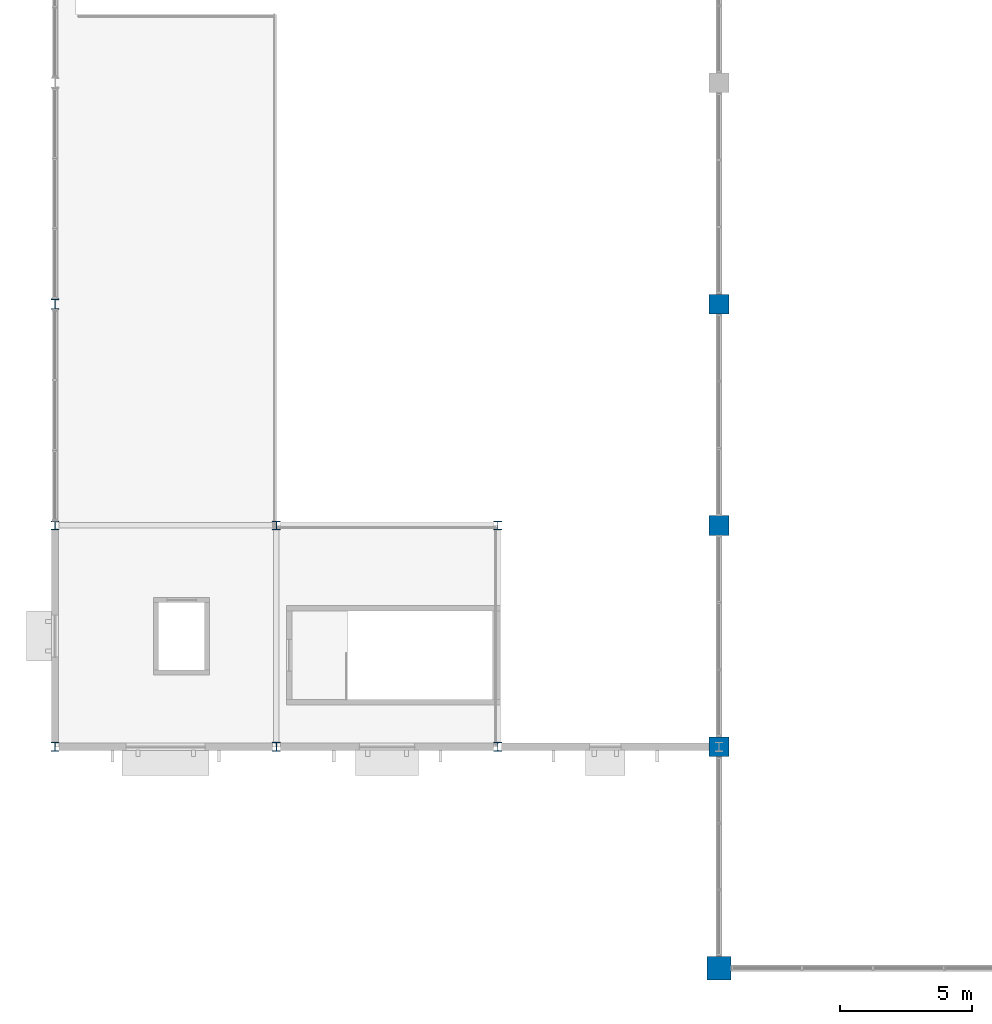
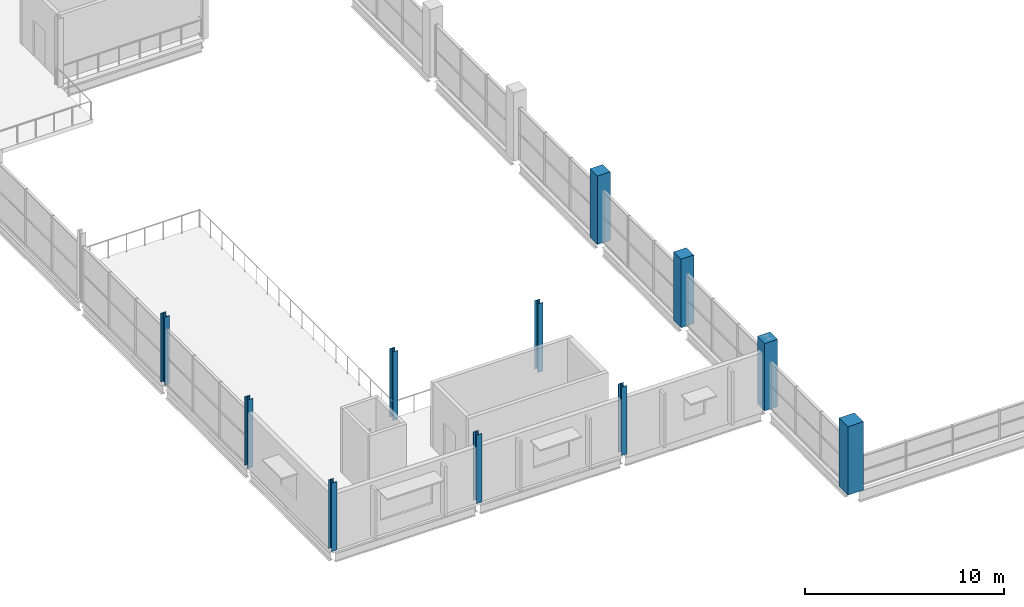
# One storey, part 1 of 68: 11 columns.
"""IFC4 building model written with IfcOpenShell, lengths in metres."""

from ifc_helpers import new_model, si_unit, direction, frame, origin, origin_2d, place, context, subcontext, project, spatial, rectangle, i_section, extrude, material, material_profile, profile_set, type_object, element, save


model = new_model("IFC4")

# Units and contexts
model_context = context("Model", 3, precision=1e-05, world=origin(), true_north=direction((0.0, 1.0)))
body_context = subcontext(model_context, "Body", "Model", "MODEL_VIEW")
ifc_project = project(units=[si_unit("LENGTHUNIT", "METRE"), si_unit("AREAUNIT", "SQUARE_METRE"), si_unit("VOLUMEUNIT", "CUBIC_METRE"), si_unit("PLANEANGLEUNIT", "RADIAN"), si_unit("MASSUNIT", "GRAM", prefix="KILO"), si_unit("THERMODYNAMICTEMPERATUREUNIT", "KELVIN")], contexts=[model_context])

# Site, building, storey
site_placement = place(None, origin())
site = spatial("IfcSite", under=ifc_project, at=site_placement, CompositionType="ELEMENT")
building_placement = place(site_placement, origin())
building = spatial("IfcBuilding", under=site, at=building_placement, Name="Nduvali Passage Aquatics Centre", CompositionType="ELEMENT")
storey_placement = place(building_placement, frame((0.0, 0.0, 13.199951171875)))
storey = spatial("IfcBuildingStorey", under=building, at=storey_placement, Name="L03", CompositionType="ELEMENT", Elevation=13.199951171875)

# Columns
ifc_material_1 = material(Name="Steel S355", Category="steel")
ifc_material_profile_1 = material_profile(ifc_material_1, i_section(OverallWidth=0.300048828125, OverallDepth=0.340087890625, WebThickness=0.011962890625, FlangeThickness=0.021484375, FilletRadius=0.027099609375, at=origin_2d()), Name="HEB 340")
ifc_profile_set_1 = profile_set([ifc_material_profile_1], Name="Steel S355")
column_type_1 = type_object("IfcColumnType", Name="STR-COL-HEB340", PredefinedType="COLUMN", material=ifc_profile_set_1)
for number, where, z_axis, x_axis, name in (
    (1, (8.39990234375, 42.0, 0.0), (0.0, 0.0, 1.0), (1.0, 0.0, 0.0), "L03 Column C7 (8.4, 42.0)"),
    (2, (16.800048828125, 42.0, 0.0), (0.0, 0.0, 1.0), (1.0, 0.0, 0.0), "L03 Column C7 (16.8, 42.0)"),
):
    element("IfcColumn", number, at=place(storey_placement, frame(where, z_axis=z_axis, x_axis=x_axis)), inside=storey, type_object=column_type_1, Name=name, PredefinedType="COLUMN", context=body_context, shape_type="SweptSolid", body=[
        extrude(i_section(OverallWidth=0.300048828125, OverallDepth=0.340087890625, WebThickness=0.011962890625, FlangeThickness=0.021484375, FilletRadius=0.027099609375, at=origin_2d()), origin(), (0.0, 0.0, 1.0), 4.199951171875),
    ])
ifc_material_profile_2 = material_profile(ifc_material_1, i_section(OverallWidth=0.300048828125, OverallDepth=0.340087890625, WebThickness=0.011962890625, FlangeThickness=0.021484375, FilletRadius=0.027099609375, at=origin_2d()), Name="HEB 340")
ifc_profile_set_2 = profile_set([ifc_material_profile_2], Name="Steel S355")
column_type_2 = type_object("IfcColumnType", Name="STR-COL-HEB340-EXT", PredefinedType="COLUMN", material=ifc_profile_set_2)
for number, where, z_axis, x_axis, name in (
    (3, (0.0, 33.60009765625, 0.0), (0.0, 0.0, 1.0), (1.0, 0.0, 0.0), "L03 Column C7E (0.0, 33.6)"),
    (4, (0.0, 42.0, 0.0), (0.0, 0.0, 1.0), (1.0, 0.0, 0.0), "L03 Column C7E (0.0, 42.0)"),
    (5, (8.39990234375, 33.60009765625, 0.0), (0.0, 0.0, 1.0), (1.0, 0.0, 0.0), "L03 Column C7E (8.4, 33.6)"),
    (6, (16.800048828125, 33.60009765625, 0.0), (0.0, 0.0, 1.0), (1.0, 0.0, 0.0), "L03 Column C7E (16.8, 33.6)"),
):
    element("IfcColumn", number, at=place(storey_placement, frame(where, z_axis=z_axis, x_axis=x_axis)), inside=storey, type_object=column_type_2, Name=name, PredefinedType="COLUMN", context=body_context, shape_type="SweptSolid", body=[
        extrude(i_section(OverallWidth=0.300048828125, OverallDepth=0.340087890625, WebThickness=0.011962890625, FlangeThickness=0.021484375, FilletRadius=0.027099609375, at=origin_2d()), origin(), (0.0, 0.0, 1.0), 4.199951171875),
    ])
ifc_material_profile_3 = material_profile(ifc_material_1, i_section(OverallWidth=0.300048828125, OverallDepth=0.39990234375, WebThickness=0.013427734375, FlangeThickness=0.02392578125, FilletRadius=0.027099609375, at=origin_2d()), Name="HEB 400")
ifc_profile_set_3 = profile_set([ifc_material_profile_3], Name="Steel S355")
column_type_3 = type_object("IfcColumnType", Name="STR-COL-HEB400-EXT", PredefinedType="COLUMN", material=ifc_profile_set_3)
column_1_placement = place(storey_placement, frame((0.0, 50.39990234375, 0.0), z_axis=(0.0, 0.0, 1.0), x_axis=(1.0, 0.0, 0.0)))
element("IfcColumn", 7, at=column_1_placement, inside=storey, type_object=column_type_3, Name="L03 Column C7AE (0.0, 50.4)", PredefinedType="COLUMN", context=body_context, shape_type="SweptSolid", body=[
    extrude(i_section(OverallWidth=0.300048828125, OverallDepth=0.39990234375, WebThickness=0.013427734375, FlangeThickness=0.02392578125, FilletRadius=0.027099609375, at=origin_2d()), origin(), (0.0, 0.0, 1.0), 4.199951171875),
])
ifc_material_2 = material(Name="Concrete C40/50", Category="concrete")
ifc_material_profile_4 = material_profile(ifc_material_2, rectangle(XDim=0.75, YDim=0.75, at=origin_2d()), Name="RC 750x750")
ifc_profile_set_4 = profile_set([ifc_material_profile_4], Name="Concrete C40/50")
column_type_4 = type_object("IfcColumnType", Name="STR-COL-RC750", PredefinedType="COLUMN", material=ifc_profile_set_4)
column_2_placement = place(storey_placement, frame((25.199951171875, 33.60009765625, 0.0), z_axis=(0.0, 0.0, 1.0), x_axis=(1.0, 0.0, 0.0)))
element("IfcColumn", 8, at=column_2_placement, inside=storey, type_object=column_type_4, Name="L03 Column C2 (25.2, 33.6)", PredefinedType="COLUMN", context=body_context, shape_type="SweptSolid", body=[
    extrude(rectangle(XDim=0.75, YDim=0.75, at=origin_2d()), origin(), (0.0, 0.0, 1.0), 4.1279296875),
])
for number, where, z_axis, x_axis, name in (
    (9, (25.199951171875, 42.0, 0.0), (0.0, 0.0, 1.0), (1.0, 0.0, 0.0), "L03 Column C2 (25.2, 42.0)"),
    (10, (25.199951171875, 50.39990234375, 0.0), (0.0, 0.0, 1.0), (1.0, 0.0, 0.0), "L03 Column C2 (25.2, 50.4)"),
):
    element("IfcColumn", number, at=place(storey_placement, frame(where, z_axis=z_axis, x_axis=x_axis)), inside=storey, type_object=column_type_4, Name=name, PredefinedType="COLUMN", context=body_context, shape_type="SweptSolid", body=[
        extrude(rectangle(XDim=0.75, YDim=0.75, at=origin_2d()), origin(), (0.0, 0.0, 1.0), 4.199951171875),
    ])
ifc_material_profile_5 = material_profile(ifc_material_2, rectangle(XDim=0.89990234375, YDim=0.89990234375, at=origin_2d()), Name="RC 900x900")
ifc_profile_set_5 = profile_set([ifc_material_profile_5], Name="Concrete C40/50")
column_type_5 = type_object("IfcColumnType", Name="STR-COL-RC900-EXT", PredefinedType="COLUMN", material=ifc_profile_set_5)
column_3_placement = place(storey_placement, frame((25.199951171875, 25.199951171875, 0.0), z_axis=(0.0, 0.0, 1.0), x_axis=(1.0, 0.0, 0.0)))
element("IfcColumn", 11, at=column_3_placement, inside=storey, type_object=column_type_5, Name="L03 Column C1E (25.2, 25.2)", PredefinedType="COLUMN", context=body_context, shape_type="SweptSolid", body=[
    extrude(rectangle(XDim=0.89990234375, YDim=0.89990234375, at=origin_2d()), origin(), (0.0, 0.0, 1.0), 4.199951171875),
])

save(model, "model.ifc")
